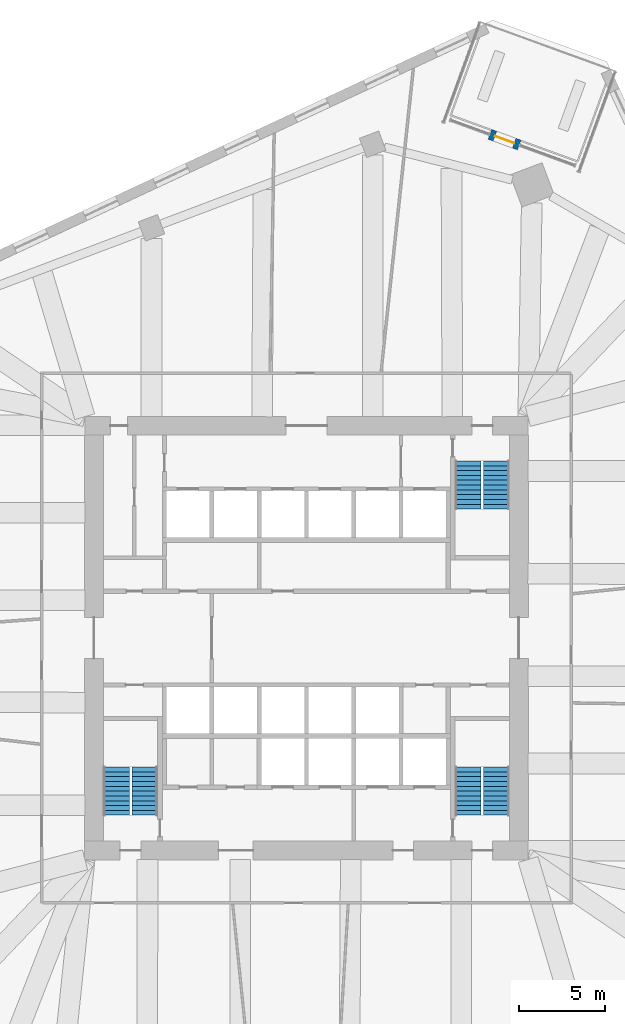
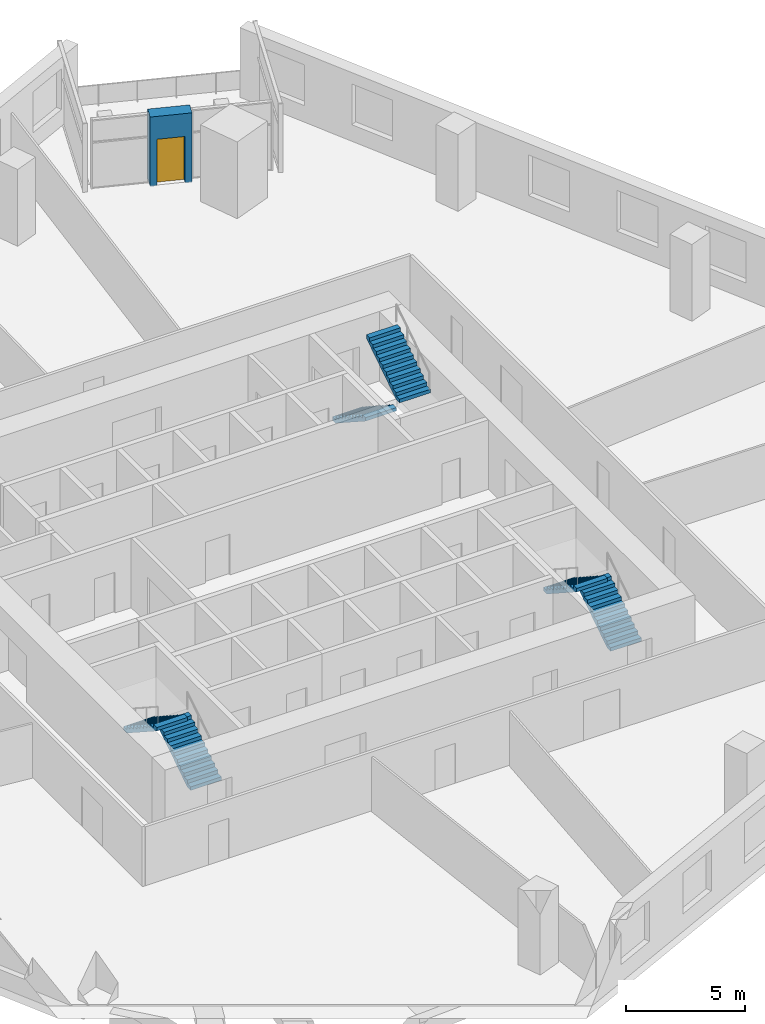
# One storey, part 10 of 12: 6 stair flights, 1 door, 1 wall, 1 opening, 3 elements without a shape of their own.
"""IFC4 building model written with IfcOpenShell, lengths in metres."""

import ifcopenshell
import ifcopenshell.guid

model = None  # the IFC model being written
_history = None  # IfcOwnerHistory: only IFC2X3 demands one
_inside = {}  # id of a spatial element -> (the spatial element, [elements in it])
_under = {}  # id of a project, library or spatial element -> (it, [spatial elements below it])
_declared = {}  # id of a project -> (the project, [libraries it declares])
_typed = {}  # id of a type object -> (the type object, [elements of that type])
_made_of = {}  # id of a material, layer set ... -> (it, [elements and type objects made of it])


def new_model(schema):
    """Start an empty IFC model of exactly this schema.

    Asked for "IFC4X3", IfcOpenShell would pick the latest addendum, in which some entities
    have other attributes; the version numbers below select the first issue.
    IFC2X3 requires an IfcOwnerHistory on every rooted entity: one is made here for all.
    """
    global model, _history
    if schema == "IFC4X3":
        model = ifcopenshell.file(schema_version=(4, 3, 0, 0))
    else:
        model = ifcopenshell.file(schema=schema)
    _inside.clear()
    _under.clear()
    _declared.clear()
    _typed.clear()
    _made_of.clear()
    _history = None
    if model.schema == "IFC2X3":
        org = make("IfcOrganization", Name="unknown")
        user = make(
            "IfcPersonAndOrganization",
            ThePerson=make("IfcPerson", FamilyName="unknown"),
            TheOrganization=org,
        )
        app = make(
            "IfcApplication",
            ApplicationDeveloper=org,
            Version="unknown",
            ApplicationFullName="unknown",
            ApplicationIdentifier="unknown",
        )
        _history = make(
            "IfcOwnerHistory",
            OwningUser=user,
            OwningApplication=app,
            ChangeAction="ADDED",
            CreationDate=0,
        )
    return model


def make(cls, **values):
    """One entity of the class cls with the attributes given. An attribute that is None is left unset."""
    return model.create_entity(
        cls, **{name: value for name, value in values.items() if value is not None}
    )


def rooted(cls, **values):
    """An entity with a GlobalId (a new one), such as an element, a storey or a relation."""
    return make(cls, GlobalId=ifcopenshell.guid.new(), OwnerHistory=_history, **values)


def si_unit(unit_type, name, prefix=None):
    """IfcSIUnit, for example si_unit("LENGTHUNIT", "METRE", prefix="MILLI")."""
    return make("IfcSIUnit", UnitType=unit_type, Prefix=prefix, Name=name)


def assignment(units):
    """IfcUnitAssignment: the units of a project."""
    return None if units is None else make("IfcUnitAssignment", Units=units)


def point(xyz):
    """IfcCartesianPoint."""
    return None if xyz is None else make("IfcCartesianPoint", Coordinates=xyz)


def direction(xyz):
    """IfcDirection."""
    return None if xyz is None else make("IfcDirection", DirectionRatios=xyz)


def frame(location, z_axis=None, x_axis=None):
    """IfcAxis2Placement3D, a coordinate frame: its origin and axes. An axis left out is left unset."""
    return make(
        "IfcAxis2Placement3D",
        Location=point(location),
        Axis=direction(z_axis),
        RefDirection=direction(x_axis),
    )


def frame_2d(location, x_axis=None):
    """IfcAxis2Placement2D, a coordinate frame in the plane: its origin and x axis."""
    return make(
        "IfcAxis2Placement2D", Location=point(location), RefDirection=direction(x_axis)
    )


def origin():
    """The frame at (0, 0, 0) with its axes left unset."""
    return frame((0.0, 0.0, 0.0))


def place(relative_to, where):
    """IfcLocalPlacement: puts the frame where relative to a parent placement (None: the world)."""
    return make(
        "IfcLocalPlacement", PlacementRelTo=relative_to, RelativePlacement=where
    )


def context(
    kind, dimensions, precision=None, world=None, true_north=None, identifier=None
):
    """IfcGeometricRepresentationContext, for example the 3D "Model" context."""
    return make(
        "IfcGeometricRepresentationContext",
        ContextIdentifier=identifier,
        ContextType=kind,
        CoordinateSpaceDimension=dimensions,
        Precision=precision,
        WorldCoordinateSystem=world,
        TrueNorth=true_north,
    )


def subcontext(parent, identifier, kind, view, scale=None):
    """IfcGeometricRepresentationSubContext, for example "Body" below "Model"."""
    return make(
        "IfcGeometricRepresentationSubContext",
        ContextIdentifier=identifier,
        ContextType=kind,
        ParentContext=parent,
        TargetScale=scale,
        TargetView=view,
    )


def project(units=None, contexts=None):
    """IfcProject with its units and contexts."""
    return rooted(
        "IfcProject",
        Name="project",
        RepresentationContexts=contexts,
        UnitsInContext=assignment(units),
    )


def spatial(cls, under=None, at=None, **own):
    """A site, building, storey or space (cls), placed at a placement, below another one or the project."""
    s = rooted(cls, ObjectPlacement=at, **own)
    if under is not None:
        _under.setdefault(under.id(), (under, []))[1].append(s)
    return s


def polyline(points):
    """IfcPolyline through the points."""
    return make("IfcPolyline", Points=[point(p) for p in points])


def profile(cls, at=None, kind="AREA", **sizes):
    """A parametric profile (cls). Its sizes go by their IFC names, for example OverallWidth=200.0."""
    return make(cls, ProfileType=kind, Position=at, **sizes)


def rectangle(**sizes):
    """IfcRectangleProfileDef."""
    return profile("IfcRectangleProfileDef", **sizes)


def outline(outer, holes=None, kind="AREA"):
    """IfcArbitraryClosedProfileDef: a profile drawn as a closed curve; with holes, ...WithVoids."""
    if holes is None:
        return make("IfcArbitraryClosedProfileDef", ProfileType=kind, OuterCurve=outer)
    return make(
        "IfcArbitraryProfileDefWithVoids",
        ProfileType=kind,
        OuterCurve=outer,
        InnerCurves=holes,
    )


def extrude(swept, where, along, depth):
    """IfcExtrudedAreaSolid: the profile swept, set in the frame where, extruded along a direction by depth."""
    return make(
        "IfcExtrudedAreaSolid",
        SweptArea=swept,
        Position=where,
        ExtrudedDirection=direction(along),
        Depth=depth,
    )


def shape(context_of_items, identifier, shape_type, items):
    """IfcShapeRepresentation: the items that make up one representation, for example the "Body"."""
    return make(
        "IfcShapeRepresentation",
        ContextOfItems=context_of_items,
        RepresentationIdentifier=identifier,
        RepresentationType=shape_type,
        Items=items,
    )


def material(Name=None, Category=None):
    """IfcMaterial."""
    return make("IfcMaterial", Name=Name, Category=Category)


def layer(
    of_material, thickness, ventilated=None, Name=None, Category=None, Priority=None
):
    """IfcMaterialLayer: one layer of a wall or slab, of a material (None: an air gap)."""
    return make(
        "IfcMaterialLayer",
        Material=of_material,
        LayerThickness=thickness,
        IsVentilated=ventilated,
        Name=Name,
        Category=Category,
        Priority=Priority,
    )


def layer_set(layers, Name=None):
    """IfcMaterialLayerSet."""
    return make("IfcMaterialLayerSet", MaterialLayers=layers, LayerSetName=Name)


def made_of(thing, what):
    """Note that an element or type object is made of a material, layer set ...; save() writes the relation."""
    if what is not None:
        _made_of.setdefault(what.id(), (what, []))[1].append(thing)
    return thing


def type_object(cls, material=None, **own):
    """A type object (cls), such as IfcWallType, which elements share."""
    return made_of(rooted(cls, **own), material)


def element(
    cls,
    number,
    at=None,
    inside=None,
    cuts=None,
    type_object=None,
    material=None,
    context=None,
    identifier="Body",
    shape_type=None,
    held_by="IfcProductDefinitionShape",
    body=None,
    shapes=None,
    **own,
):
    """One element of the class cls, such as IfcWall. Its Tag is "e" and its number.

    at: its placement. inside: the storey or other place that contains it. cuts: it is an
    opening in that element (IfcRelVoidsElement). A single representation is given by context,
    identifier, shape_type and body (its items); several are given by shapes. held_by: the class
    of the entity that holds the representations. save() writes the other relations.
    """
    e = rooted(cls, Tag="e%d" % number, ObjectPlacement=at, **own)
    if body is not None:
        shapes = [shape(context, identifier, shape_type, body)]
    if shapes is not None:
        e.Representation = make(held_by, Representations=shapes)
    if inside is not None:
        _inside.setdefault(inside.id(), (inside, []))[1].append(e)
    if cuts is not None:
        rooted(
            "IfcRelVoidsElement", RelatingBuildingElement=cuts, RelatedOpeningElement=e
        )
    if type_object is not None:
        _typed.setdefault(type_object.id(), (type_object, []))[1].append(e)
    return made_of(e, material)


def fill(opening, filler):
    """IfcRelFillsElement: the door or window that sits in an opening."""
    return rooted(
        "IfcRelFillsElement",
        RelatingOpeningElement=opening,
        RelatedBuildingElement=filler,
    )


def aggregate(whole, parts):
    """IfcRelAggregates: a whole, such as a stair, and the parts it consists of."""
    return rooted("IfcRelAggregates", RelatingObject=whole, RelatedObjects=parts)


def save(model, path):
    """Write the relations noted so far, then the file.

    IfcRelAggregates (storeys below a building ...), IfcRelContainedInSpatialStructure (elements
    in a storey), IfcRelDefinesByType, IfcRelAssociatesMaterial and IfcRelDeclares: one each for
    every whole, place, type object, material and project.
    """
    for whole, parts in _under.values():
        aggregate(whole, parts)
    for where, things in _inside.values():
        rooted(
            "IfcRelContainedInSpatialStructure",
            RelatedElements=things,
            RelatingStructure=where,
        )
    for kind, things in _typed.values():
        rooted("IfcRelDefinesByType", RelatedObjects=things, RelatingType=kind)
    for what, things in _made_of.values():
        rooted("IfcRelAssociatesMaterial", RelatedObjects=things, RelatingMaterial=what)
    for by, libraries in _declared.values():
        rooted("IfcRelDeclares", RelatingContext=by, RelatedDefinitions=libraries)
    model.write(path)


model = new_model("IFC4")

# Units and contexts
model_context = context("Model", 3, precision=1e-05, world=origin(), true_north=direction((0.0, 1.0)))
body_context = subcontext(model_context, "Body", "Model", "MODEL_VIEW")
ifc_project = project(units=[si_unit("LENGTHUNIT", "METRE"), si_unit("AREAUNIT", "SQUARE_METRE"), si_unit("VOLUMEUNIT", "CUBIC_METRE"), si_unit("PLANEANGLEUNIT", "RADIAN"), si_unit("MASSUNIT", "GRAM", prefix="KILO")], contexts=[model_context])

# Site, building, storey
site_placement = place(None, origin())
site = spatial("IfcSite", under=ifc_project, at=site_placement, CompositionType="ELEMENT")
building_placement = place(site_placement, origin())
building = spatial("IfcBuilding", under=site, at=building_placement, Name="Dilmun Exchange Tower", CompositionType="ELEMENT")
storey_placement = place(building_placement, frame((0.0, 0.0, 122.10009765625)))
storey = spatial("IfcBuildingStorey", under=building, at=storey_placement, Name="L28", CompositionType="ELEMENT", Elevation=122.10009765625)

# Wall, opening, door
ifc_material_1 = material(Name="Precast concrete C50/60", Category="concrete")
ifc_layer = layer(ifc_material_1, 0.60009765625)
ifc_layer_set = layer_set([ifc_layer], Name="Precast concrete C50/60")
wall_type = type_object("IfcWallType", Name="Precast stone-clad wall 600", PredefinedType="STANDARD", material=ifc_layer_set)
wall_placement = place(storey_placement, frame((12.367919921875, 28.676025390625, 0.0), z_axis=(0.0, 0.0, 1.0), x_axis=(-0.939718154821, 0.341949980991, 0.0)))
wall = element("IfcWall", 1, at=wall_placement, inside=storey, type_object=wall_type, Name="Facade wall L28-01-D", PredefinedType="STANDARD", context=body_context, shape_type="SweptSolid", body=[
    extrude(rectangle(XDim=1.7998046875, YDim=0.60009765625, at=frame_2d((0.89990234375, 0.0))), origin(), (0.0, 0.0, 1.0), 3.579833984375),
])
opening_placement = place(wall_placement, frame((0.300048828125, 0.0, 0.0)))
opening = element("IfcOpeningElement", 2, at=opening_placement, cuts=wall, Name="Opening GD-1", PredefinedType="OPENING", context=body_context, shape_type="SweptSolid", body=[
    extrude(rectangle(XDim=1.199951171875, YDim=2.39990234375, at=frame_2d((0.60009765625, 1.199951171875))), frame((0.0, 0.31005859375, 0.0), z_axis=(0.0, -1.0, 0.0), x_axis=(1.0, 0.0, 0.0)), (0.0, 0.0, 1.0), 0.6201171875),
])
ifc_material_2 = material(Name="Clear low-emissivity glass in aluminium frame", Category="aluminium")
door_type = type_object("IfcDoorType", Name="Glazed garden door 1200 x 2400", OperationType="SINGLE_SWING_LEFT", PredefinedType="DOOR", material=ifc_material_2)
door_placement = place(opening_placement, origin())
door = element("IfcDoor", 3, at=door_placement, inside=storey, type_object=door_type, Name="Garden terrace door", OperationType="SINGLE_SWING_LEFT", OverallHeight=2.39990234375, OverallWidth=1.199951171875, PredefinedType="DOOR", context=body_context, shape_type="SweptSolid", body=[
    extrude(rectangle(XDim=1.199951171875, YDim=2.39990234375, at=frame_2d((0.60009765625, 1.199951171875))), frame((0.0, 0.02490234375, 0.0), z_axis=(0.0, -1.0, 0.0), x_axis=(1.0, 0.0, 0.0)), (0.0, 0.0, 1.0), 0.050048828125),
])
fill(opening, door)

# Stair, stair flights
ifc_material_3 = material(Name="Concrete C40/50", Category="concrete")
stair_type = type_object("IfcStairType", Name="Exit stair 1500 half-turn", PredefinedType="HALF_TURN_STAIR", material=ifc_material_3)
stair_1_placement = place(storey_placement, origin())
stair_1 = element("IfcStair", 4, at=stair_1_placement, inside=storey, type_object=stair_type, Name="L28 Protected exit stair ST1", PredefinedType="HALF_TURN_STAIR")
stair_flight_type = type_object("IfcStairFlightType", Name="Exit stair flight 1500", PredefinedType="STRAIGHT", material=ifc_material_3)
stair_flight_1_placement = place(storey_placement, frame((9.39990234375, 10.300048828125, 0.0), z_axis=(0.0, 0.0, 1.0), x_axis=(0.0, -1.0, 0.0)))
stair_flight_1 = element("IfcStairFlight", 5, at=stair_flight_1_placement, type_object=stair_flight_type, Name="ST1 flight 1", NumberOfRisers=11, NumberOfTreads=10, PredefinedType="STRAIGHT", RiserHeight=0.181818182, TreadLength=0.28, context=body_context, shape_type="SweptSolid", body=[
    extrude(outline(polyline([(0.0, 0.0), (0.0, 0.181884765625), (0.280029296875, 0.181884765625), (0.280029296875, 0.363525390625), (0.56005859375, 0.363525390625), (0.56005859375, 0.54541015625), (0.840087890625, 0.54541015625), (0.840087890625, 0.727294921875), (1.1201171875, 0.727294921875), (1.1201171875, 0.9091796875), (1.39990234375, 0.9091796875), (1.39990234375, 1.0908203125), (1.679931640625, 1.0908203125), (1.679931640625, 1.272705078125), (1.9599609375, 1.272705078125), (1.9599609375, 1.45458984375), (2.239990234375, 1.45458984375), (2.239990234375, 1.636474609375), (2.52001953125, 1.636474609375), (2.52001953125, 1.818115234375), (2.800048828125, 1.818115234375), (2.800048828125, 2.0), (2.800048828125, 1.639404296875), (0.275146484375, 0.0), (0.0, 0.0)])), frame((0.0, 0.75, 0.0), z_axis=(0.0, -1.0, 0.0), x_axis=(1.0, 0.0, 0.0)), (0.0, 0.0, 1.0), 1.5),
])
stair_flight_2_placement = place(storey_placement, frame((11.050048828125, 7.5, 2.0), z_axis=(0.0, 0.0, 1.0), x_axis=(0.0, 1.0, 0.0)))
stair_flight_2 = element("IfcStairFlight", 6, at=stair_flight_2_placement, type_object=stair_flight_type, Name="ST1 flight 2", NumberOfRisers=11, NumberOfTreads=10, PredefinedType="STRAIGHT", RiserHeight=0.181818182, TreadLength=0.28, context=body_context, shape_type="SweptSolid", body=[
    extrude(outline(polyline([(0.0, 0.0), (0.0, 0.181884765625), (0.280029296875, 0.181884765625), (0.280029296875, 0.363525390625), (0.56005859375, 0.363525390625), (0.56005859375, 0.54541015625), (0.840087890625, 0.54541015625), (0.840087890625, 0.727294921875), (1.1201171875, 0.727294921875), (1.1201171875, 0.9091796875), (1.39990234375, 0.9091796875), (1.39990234375, 1.0908203125), (1.679931640625, 1.0908203125), (1.679931640625, 1.272705078125), (1.9599609375, 1.272705078125), (1.9599609375, 1.45458984375), (2.239990234375, 1.45458984375), (2.239990234375, 1.636474609375), (2.52001953125, 1.636474609375), (2.52001953125, 1.818115234375), (2.800048828125, 1.818115234375), (2.800048828125, 2.0), (2.800048828125, 1.639404296875), (0.275146484375, 0.0), (0.0, 0.0)])), frame((0.0, 0.75, 0.0), z_axis=(0.0, -1.0, 0.0), x_axis=(1.0, 0.0, 0.0)), (0.0, 0.0, 1.0), 1.5),
])
aggregate(stair_1, [stair_flight_1, stair_flight_2])

stair_2_placement = place(storey_placement, origin())
stair_2 = element("IfcStair", 7, at=stair_2_placement, inside=storey, type_object=stair_type, Name="L28 Protected exit stair ST2", PredefinedType="HALF_TURN_STAIR")
stair_flight_3_placement = place(storey_placement, frame((-9.39990234375, -10.300048828125, 0.0), z_axis=(0.0, 0.0, 1.0), x_axis=(0.0, 1.0, 0.0)))
stair_flight_3 = element("IfcStairFlight", 8, at=stair_flight_3_placement, type_object=stair_flight_type, Name="ST2 flight 1", NumberOfRisers=11, NumberOfTreads=10, PredefinedType="STRAIGHT", RiserHeight=0.181818182, TreadLength=0.28, context=body_context, shape_type="SweptSolid", body=[
    extrude(outline(polyline([(0.0, 0.0), (0.0, 0.181884765625), (0.280029296875, 0.181884765625), (0.280029296875, 0.363525390625), (0.56005859375, 0.363525390625), (0.56005859375, 0.54541015625), (0.840087890625, 0.54541015625), (0.840087890625, 0.727294921875), (1.1201171875, 0.727294921875), (1.1201171875, 0.9091796875), (1.39990234375, 0.9091796875), (1.39990234375, 1.0908203125), (1.679931640625, 1.0908203125), (1.679931640625, 1.272705078125), (1.9599609375, 1.272705078125), (1.9599609375, 1.45458984375), (2.239990234375, 1.45458984375), (2.239990234375, 1.636474609375), (2.52001953125, 1.636474609375), (2.52001953125, 1.818115234375), (2.800048828125, 1.818115234375), (2.800048828125, 2.0), (2.800048828125, 1.639404296875), (0.275146484375, 0.0), (0.0, 0.0)])), frame((0.0, 0.75, 0.0), z_axis=(0.0, -1.0, 0.0), x_axis=(1.0, 0.0, 0.0)), (0.0, 0.0, 1.0), 1.5),
])
stair_flight_4_placement = place(storey_placement, frame((-11.050048828125, -7.5, 2.0), z_axis=(0.0, 0.0, 1.0), x_axis=(0.0, -1.0, 0.0)))
stair_flight_4 = element("IfcStairFlight", 9, at=stair_flight_4_placement, type_object=stair_flight_type, Name="ST2 flight 2", NumberOfRisers=11, NumberOfTreads=10, PredefinedType="STRAIGHT", RiserHeight=0.181818182, TreadLength=0.28, context=body_context, shape_type="SweptSolid", body=[
    extrude(outline(polyline([(0.0, 0.0), (0.0, 0.181884765625), (0.280029296875, 0.181884765625), (0.280029296875, 0.363525390625), (0.56005859375, 0.363525390625), (0.56005859375, 0.54541015625), (0.840087890625, 0.54541015625), (0.840087890625, 0.727294921875), (1.1201171875, 0.727294921875), (1.1201171875, 0.9091796875), (1.39990234375, 0.9091796875), (1.39990234375, 1.0908203125), (1.679931640625, 1.0908203125), (1.679931640625, 1.272705078125), (1.9599609375, 1.272705078125), (1.9599609375, 1.45458984375), (2.239990234375, 1.45458984375), (2.239990234375, 1.636474609375), (2.52001953125, 1.636474609375), (2.52001953125, 1.818115234375), (2.800048828125, 1.818115234375), (2.800048828125, 2.0), (2.800048828125, 1.639404296875), (0.275146484375, 0.0), (0.0, 0.0)])), frame((0.0, 0.75, 0.0), z_axis=(0.0, -1.0, 0.0), x_axis=(1.0, 0.0, 0.0)), (0.0, 0.0, 1.0), 1.5),
])
aggregate(stair_2, [stair_flight_3, stair_flight_4])

stair_3_placement = place(storey_placement, origin())
stair_3 = element("IfcStair", 10, at=stair_3_placement, inside=storey, type_object=stair_type, Name="L28 Protected exit stair ST3", PredefinedType="HALF_TURN_STAIR")
stair_flight_5_placement = place(storey_placement, frame((11.050048828125, -10.300048828125, 0.0), z_axis=(0.0, 0.0, 1.0), x_axis=(0.0, 1.0, 0.0)))
stair_flight_5 = element("IfcStairFlight", 11, at=stair_flight_5_placement, type_object=stair_flight_type, Name="ST3 flight 1", NumberOfRisers=11, NumberOfTreads=10, PredefinedType="STRAIGHT", RiserHeight=0.181818182, TreadLength=0.28, context=body_context, shape_type="SweptSolid", body=[
    extrude(outline(polyline([(0.0, 0.0), (0.0, 0.181884765625), (0.280029296875, 0.181884765625), (0.280029296875, 0.363525390625), (0.56005859375, 0.363525390625), (0.56005859375, 0.54541015625), (0.840087890625, 0.54541015625), (0.840087890625, 0.727294921875), (1.1201171875, 0.727294921875), (1.1201171875, 0.9091796875), (1.39990234375, 0.9091796875), (1.39990234375, 1.0908203125), (1.679931640625, 1.0908203125), (1.679931640625, 1.272705078125), (1.9599609375, 1.272705078125), (1.9599609375, 1.45458984375), (2.239990234375, 1.45458984375), (2.239990234375, 1.636474609375), (2.52001953125, 1.636474609375), (2.52001953125, 1.818115234375), (2.800048828125, 1.818115234375), (2.800048828125, 2.0), (2.800048828125, 1.639404296875), (0.275146484375, 0.0), (0.0, 0.0)])), frame((0.0, 0.75, 0.0), z_axis=(0.0, -1.0, 0.0), x_axis=(1.0, 0.0, 0.0)), (0.0, 0.0, 1.0), 1.5),
])
stair_flight_6_placement = place(storey_placement, frame((9.39990234375, -7.5, 2.0), z_axis=(0.0, 0.0, 1.0), x_axis=(0.0, -1.0, 0.0)))
stair_flight_6 = element("IfcStairFlight", 12, at=stair_flight_6_placement, type_object=stair_flight_type, Name="ST3 flight 2", NumberOfRisers=11, NumberOfTreads=10, PredefinedType="STRAIGHT", RiserHeight=0.181818182, TreadLength=0.28, context=body_context, shape_type="SweptSolid", body=[
    extrude(outline(polyline([(0.0, 0.0), (0.0, 0.181884765625), (0.280029296875, 0.181884765625), (0.280029296875, 0.363525390625), (0.56005859375, 0.363525390625), (0.56005859375, 0.54541015625), (0.840087890625, 0.54541015625), (0.840087890625, 0.727294921875), (1.1201171875, 0.727294921875), (1.1201171875, 0.9091796875), (1.39990234375, 0.9091796875), (1.39990234375, 1.0908203125), (1.679931640625, 1.0908203125), (1.679931640625, 1.272705078125), (1.9599609375, 1.272705078125), (1.9599609375, 1.45458984375), (2.239990234375, 1.45458984375), (2.239990234375, 1.636474609375), (2.52001953125, 1.636474609375), (2.52001953125, 1.818115234375), (2.800048828125, 1.818115234375), (2.800048828125, 2.0), (2.800048828125, 1.639404296875), (0.275146484375, 0.0), (0.0, 0.0)])), frame((0.0, 0.75, 0.0), z_axis=(0.0, -1.0, 0.0), x_axis=(1.0, 0.0, 0.0)), (0.0, 0.0, 1.0), 1.5),
])
aggregate(stair_3, [stair_flight_5, stair_flight_6])

save(model, "model.ifc")
